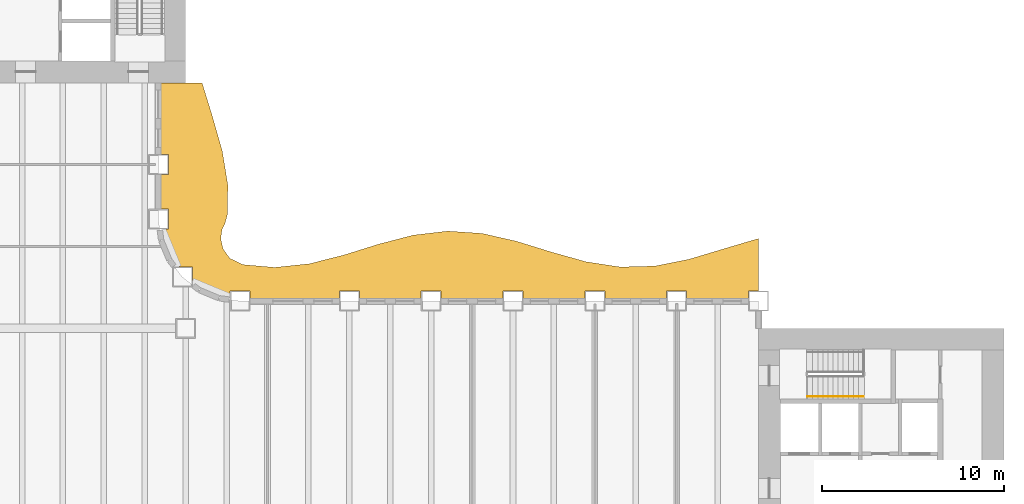
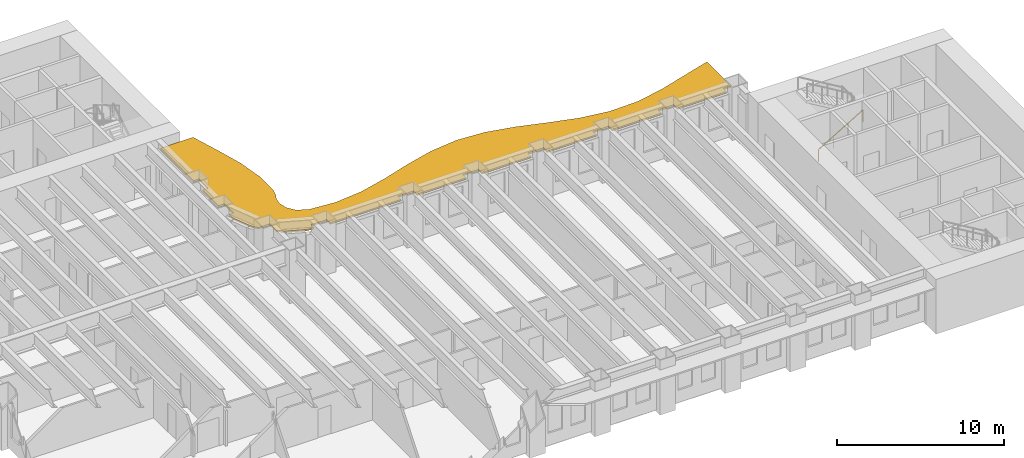
# One storey, part 13 of 15: 1 railing, 1 shading device.
"""IFC4 building model written with IfcOpenShell, lengths in metres."""

from ifc_helpers import new_model, si_unit, direction, frame, origin, origin_2d, place, context, subcontext, project, spatial, polyline, rectangle, outline, extrude, material, layer, layer_set, type_object, element, save


model = new_model("IFC4")

# Units and contexts
model_context = context("Model", 3, precision=1e-05, world=origin(), true_north=direction((0.0, 1.0)))
body_context = subcontext(model_context, "Body", "Model", "MODEL_VIEW")
ifc_project = project(units=[si_unit("LENGTHUNIT", "METRE"), si_unit("AREAUNIT", "SQUARE_METRE"), si_unit("VOLUMEUNIT", "CUBIC_METRE"), si_unit("PLANEANGLEUNIT", "RADIAN"), si_unit("MASSUNIT", "GRAM", prefix="KILO")], contexts=[model_context])

# Site, building, storey
site_placement = place(None, origin())
site = spatial("IfcSite", under=ifc_project, at=site_placement, CompositionType="ELEMENT")
building_placement = place(site_placement, origin())
building = spatial("IfcBuilding", under=site, at=building_placement, Name="Sennacour Bend Tower", CompositionType="ELEMENT")
storey_placement = place(building_placement, frame((0.0, 0.0, 37.0)))
storey = spatial("IfcBuildingStorey", under=building, at=storey_placement, Name="L07", CompositionType="ELEMENT", Elevation=37.0)

# Railing
ifc_material_1 = material(Name="Stainless steel", Category="steel")
railing_type = type_object("IfcRailingType", Name="RL-HANDRAIL-900", PredefinedType="HANDRAIL", material=ifc_material_1)
railing_placement = place(storey_placement, frame((56.699951171875, 18.75, 0.166748046875)))
element("IfcRailing", 1, at=railing_placement, inside=storey, type_object=railing_type, Name="L07 SA2 stair handrail 1", PredefinedType="HANDRAIL", context=body_context, shape_type="SweptSolid", body=[
    extrude(rectangle(XDim=0.048095703125, YDim=0.048095703125, at=origin_2d()), frame((0.0, 0.0, 0.8759765625), z_axis=(0.859308565015, 0.0, 0.511457515432), x_axis=(0.0, 1.0, 0.0)), (0.0, 0.0, 1.0), 3.58447265625),
    extrude(rectangle(XDim=0.0419921875, YDim=0.0419921875, at=origin_2d()), origin(), (0.0, 0.0, 1.0), 0.851806640625),
    extrude(rectangle(XDim=0.0419921875, YDim=0.0419921875, at=origin_2d()), frame((1.026611328125, 0.0, 0.611083984375)), (0.0, 0.0, 1.0), 0.851806640625),
    extrude(rectangle(XDim=0.0419921875, YDim=0.0419921875, at=origin_2d()), frame((2.053466796875, 0.0, 1.22216796875)), (0.0, 0.0, 1.0), 0.851806640625),
    extrude(rectangle(XDim=0.0419921875, YDim=0.0419921875, at=origin_2d()), frame((3.080078125, 0.0, 1.833251953125)), (0.0, 0.0, 1.0), 0.851806640625),
])

# Shading device
ifc_material_2 = material(Name="Bronze anodised aluminium", Category="aluminium")
ifc_layer = layer(ifc_material_2, 0.1201171875, Name="Bronze anodised aluminium", Category="aluminium")
ifc_layer_set = layer_set([ifc_layer], Name="Bronze anodised aluminium")
shading_device_type = type_object("IfcShadingDeviceType", Name="SUNSHADE BAND WAVE", PredefinedType="USERDEFINED", material=ifc_layer_set)
shading_device_placement = place(storey_placement, frame((0.0, 0.0, 3.02392578125)))
element("IfcShadingDevice", 2, at=shading_device_placement, inside=storey, type_object=shading_device_type, Name="Sunshade band L07 concave faces", ObjectType="SUNSHADE", PredefinedType="USERDEFINED", context=body_context, shape_type="SweptSolid", body=[
    extrude(outline(polyline([(53.449951171875, 24.14990234375), (50.050048828125, 24.14990234375), (50.050048828125, 24.550048828125), (48.949951171875, 24.550048828125), (48.949951171875, 24.14990234375), (45.550048828125, 24.14990234375), (45.550048828125, 24.550048828125), (44.449951171875, 24.550048828125), (44.449951171875, 24.14990234375), (41.050048828125, 24.14990234375), (41.050048828125, 24.550048828125), (39.949951171875, 24.550048828125), (39.949951171875, 24.14990234375), (36.550048828125, 24.14990234375), (36.550048828125, 24.550048828125), (35.449951171875, 24.550048828125), (35.449951171875, 24.14990234375), (32.050048828125, 24.14990234375), (32.050048828125, 24.550048828125), (30.949951171875, 24.550048828125), (30.949951171875, 24.14990234375), (26.050048828125, 24.14990234375), (26.050048828125, 24.550048828125), (24.949951171875, 24.550048828125), (24.949951171875, 24.2236328125), (24.37451171875, 24.299560546875), (23.32568359375, 24.73388671875), (22.8681640625, 25.0849609375), (22.8681640625, 25.8681640625), (22.0849609375, 25.8681640625), (21.73388671875, 26.32568359375), (21.299560546875, 27.37451171875), (21.2236328125, 27.949951171875), (21.550048828125, 27.949951171875), (21.550048828125, 29.050048828125), (21.14990234375, 29.050048828125), (21.14990234375, 30.949951171875), (21.550048828125, 30.949951171875), (21.550048828125, 32.050048828125), (21.14990234375, 32.050048828125), (21.14990234375, 36.0), (23.400634765625, 36.0), (23.978759765625, 34.125), (24.512451171875, 32.25), (24.818603515625, 30.375), (24.791748046875, 28.74853515625), (24.6650390625, 28.2763671875), (24.497314453125, 27.921142578125), (24.428466796875, 27.428466796875), (24.555908203125, 26.86474609375), (24.92431640625, 26.35107421875), (25.63134765625, 26.003662109375), (27.39990234375, 25.850830078125), (29.300048828125, 26.05029296875), (31.199951171875, 26.531982421875), (33.10009765625, 27.12548828125), (35.0, 27.6220703125), (36.89990234375, 27.84619140625), (38.800048828125, 27.71923828125), (40.699951171875, 27.285400390625), (42.60009765625, 26.6982421875), (44.5, 26.16455078125), (46.39990234375, 25.87255859375), (48.300048828125, 25.92529296875), (50.199951171875, 26.303955078125), (52.10009765625, 26.87548828125), (54.0, 27.437744140625), (54.0, 24.550048828125), (53.449951171875, 24.550048828125), (53.449951171875, 24.14990234375)])), origin(), (0.0, 0.0, 1.0), 0.1201171875),
])

save(model, "model.ifc")
